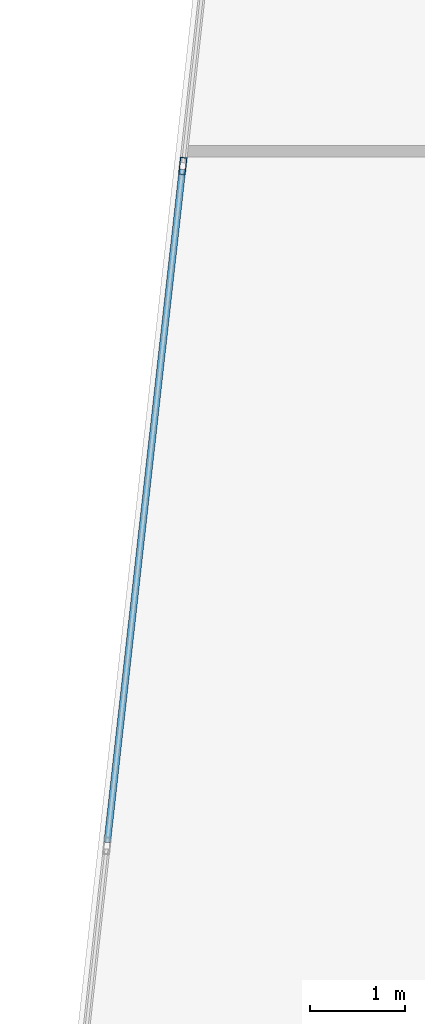
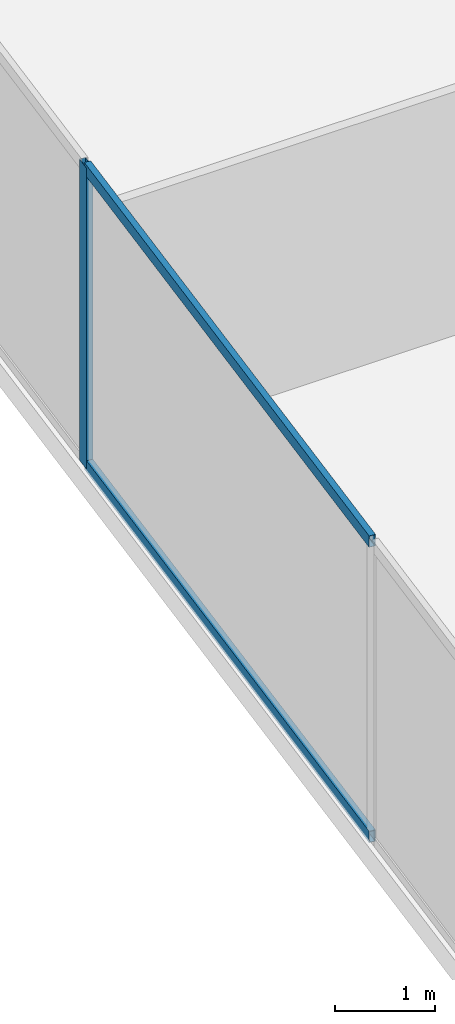
# One storey, part 6 of 29: 3 members, 1 element without a shape of its own.
"""IFC4 building model written with IfcOpenShell, lengths in metres."""

from ifc_helpers import new_model, si_unit, direction, frame, origin, origin_2d, place, context, subcontext, project, spatial, hollow_rectangle, extrude, source, transform, mapped, material, material_profile, profile_set, type_object, type_shapes, element, aggregate, save


model = new_model("IFC4")

# Units and contexts
model_context = context("Model", 3, precision=1e-05, world=origin(), true_north=direction((0.0, 1.0)))
body_context = subcontext(model_context, "Body", "Model", "MODEL_VIEW")
ifc_project = project(units=[si_unit("LENGTHUNIT", "METRE"), si_unit("AREAUNIT", "SQUARE_METRE"), si_unit("VOLUMEUNIT", "CUBIC_METRE"), si_unit("PLANEANGLEUNIT", "RADIAN"), si_unit("MASSUNIT", "GRAM", prefix="KILO")], contexts=[model_context])

# Site, building, storey
site_placement = place(None, origin())
site = spatial("IfcSite", under=ifc_project, at=site_placement, CompositionType="ELEMENT")
building_placement = place(site_placement, origin())
building = spatial("IfcBuilding", under=site, at=building_placement, Name="Krantzveldt Concourse Tower", CompositionType="ELEMENT")
storey_placement = place(building_placement, frame((0.0, 0.0, 60.550048828125)))
storey = spatial("IfcBuildingStorey", under=building, at=storey_placement, Name="L14", CompositionType="ELEMENT", Elevation=60.550048828125)

# Curtain wall, members
ifc_material = material(Name="Anodised aluminium 6063-T6", Category="aluminium")
curtain_wall_type = type_object("IfcCurtainWallType", Name="CW2", PredefinedType="USERDEFINED", material=ifc_material)
curtain_wall_placement = place(storey_placement, origin())
curtain_wall = element("IfcCurtainWall", 1, at=curtain_wall_placement, inside=storey, type_object=curtain_wall_type, Name="CW-L14-F01", ObjectType="UNITISED CURTAIN WALL", PredefinedType="USERDEFINED")
ifc_material_profile_1 = material_profile(ifc_material, hollow_rectangle(XDim=0.070068359375, YDim=0.179931640625, WallThickness=0.0048828125, at=origin_2d()), Name="Anodised aluminium 6063-T6", Category="aluminium")
ifc_profile_set_1 = profile_set([ifc_material_profile_1], Name="Anodised aluminium 6063-T6 - ALU-MULL 180x70x5")
member_type_1 = type_object("IfcMemberType", Name="CW-MUL-180", PredefinedType="MULLION", material=ifc_profile_set_1)
shared_shape_1 = source(origin(), body_context, "Body", "SweptSolid", [
    extrude(hollow_rectangle(XDim=0.070068359375, YDim=0.179931640625, WallThickness=0.0048828125, at=origin_2d()), origin(), (0.0, 0.0, 1.0), 3.669921875),
])
type_shapes(member_type_1, [shared_shape_1])
member_1_placement = place(storey_placement, frame((10.4482421875, 22.343505859375, 0.0), z_axis=(0.0, 0.0, 1.0), x_axis=(0.993816458223, -0.111035342863, 0.0)))
member_1 = element("IfcMember", 2, at=member_1_placement, type_object=member_type_1, Name="CW-Z12 mullion 5", PredefinedType="MULLION", context=body_context, shape_type="MappedRepresentation", body=[
    mapped(shared_shape_1, transform((0.0, 0.0, 0.0), x_axis=(1.0, 0.0, 0.0), y_axis=(0.0, 1.0, 0.0), z_axis=(0.0, 0.0, 1.0), scale=1.0)),
])
ifc_material_profile_2 = material_profile(ifc_material, hollow_rectangle(XDim=0.070068359375, YDim=0.139892578125, WallThickness=0.0048828125, at=origin_2d()), Name="Anodised aluminium 6063-T6", Category="aluminium")
ifc_profile_set_2 = profile_set([ifc_material_profile_2], Name="Anodised aluminium 6063-T6 - ALU-TRAN 140x70x5")
member_type_2 = type_object("IfcMemberType", Name="CW-TRN-150", PredefinedType="USERDEFINED", material=ifc_profile_set_2)
shared_shape_2 = source(origin(), body_context, "Body", "SweptSolid", [
    extrude(hollow_rectangle(XDim=0.070068359375, YDim=0.139892578125, WallThickness=0.0048828125, at=origin_2d()), origin(), (0.0, 0.0, 1.0), 7.096923828125),
])
type_shapes(member_type_2, [shared_shape_2])
member_2_placement = place(storey_placement, frame((10.4443359375, 22.308837890625, 0.034912109375), z_axis=(-0.111012972935, -0.993818957275, 0.0), x_axis=(0.993818957275, -0.111012972935, 0.0)))
member_2 = element("IfcMember", 3, at=member_2_placement, type_object=member_type_2, Name="CW-Z12 transom 5.1", ObjectType="TRANSOM", PredefinedType="USERDEFINED", context=body_context, shape_type="MappedRepresentation", body=[
    mapped(shared_shape_2, transform((0.0, 0.0, 0.0), x_axis=(1.0, 0.0, 0.0), y_axis=(0.0, 1.0, 0.0), z_axis=(0.0, 0.0, 1.0), scale=1.0)),
])
member_3_placement = place(storey_placement, frame((10.4443359375, 22.308837890625, 3.635009765625), z_axis=(-0.111012972935, -0.993818957275, 0.0), x_axis=(0.993818957275, -0.111012972935, 0.0)))
member_3 = element("IfcMember", 4, at=member_3_placement, type_object=member_type_2, Name="CW-Z12 transom 5.2", ObjectType="TRANSOM", PredefinedType="USERDEFINED", context=body_context, shape_type="MappedRepresentation", body=[
    mapped(shared_shape_2, transform((0.0, 0.0, 0.0), x_axis=(1.0, 0.0, 0.0), y_axis=(0.0, 1.0, 0.0), z_axis=(0.0, 0.0, 1.0), scale=1.0)),
])
aggregate(curtain_wall, [member_1, member_2, member_3])

save(model, "model.ifc")
